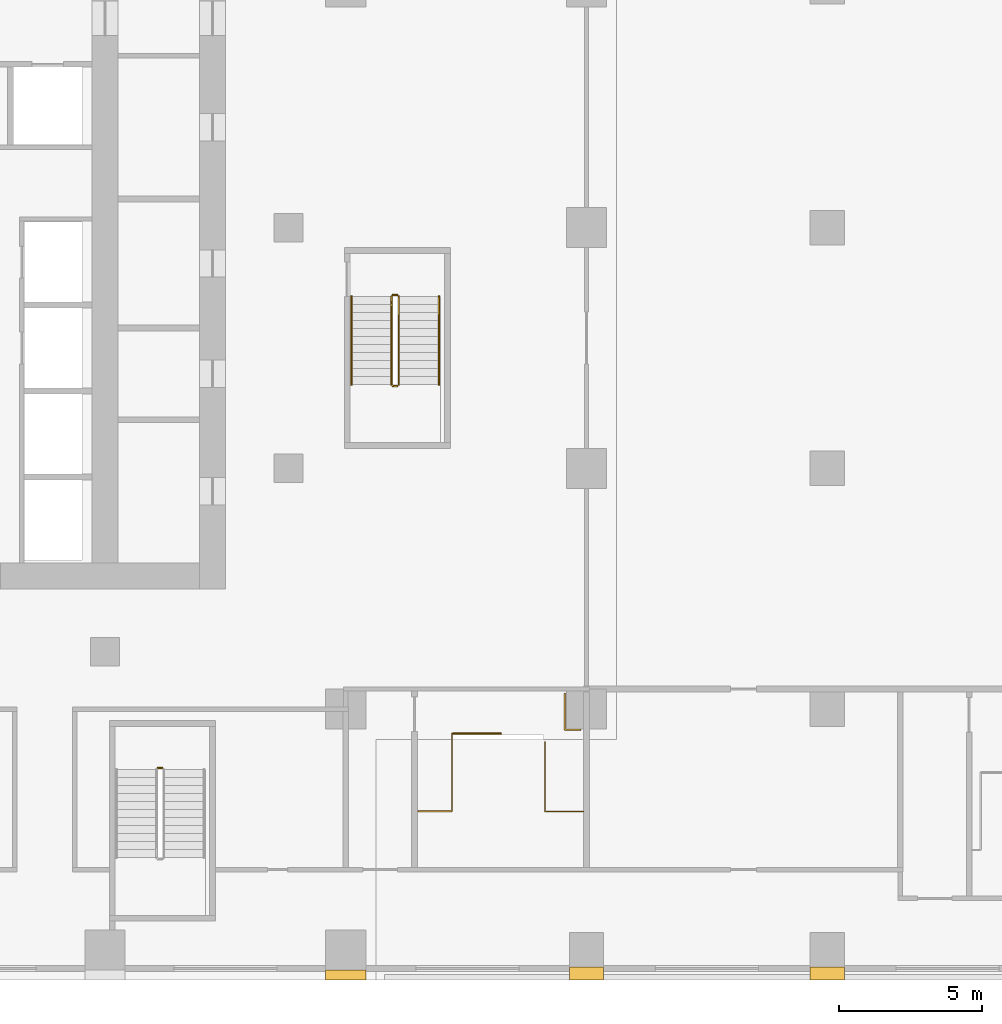
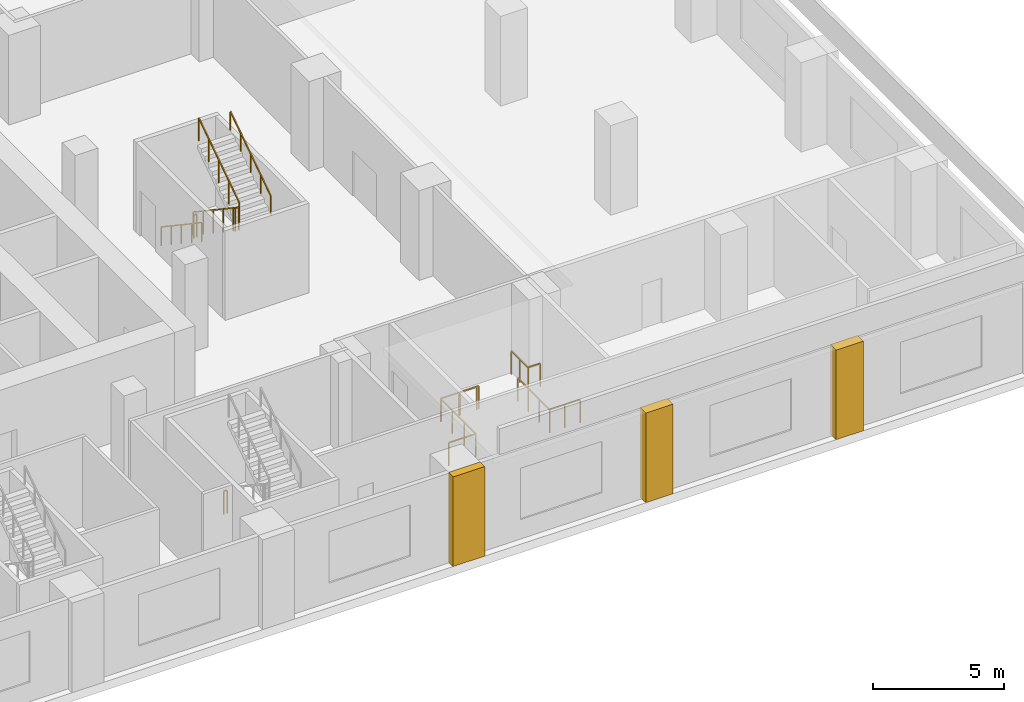
# One storey, part 13 of 16: 10 railings, 3 coverings.
"""IFC4 building model written with IfcOpenShell, lengths in metres."""

import ifcopenshell
import ifcopenshell.guid

model = None  # the IFC model being written
_history = None  # IfcOwnerHistory: only IFC2X3 demands one
_inside = {}  # id of a spatial element -> (the spatial element, [elements in it])
_under = {}  # id of a project, library or spatial element -> (it, [spatial elements below it])
_declared = {}  # id of a project -> (the project, [libraries it declares])
_typed = {}  # id of a type object -> (the type object, [elements of that type])
_made_of = {}  # id of a material, layer set ... -> (it, [elements and type objects made of it])


def new_model(schema):
    """Start an empty IFC model of exactly this schema.

    Asked for "IFC4X3", IfcOpenShell would pick the latest addendum, in which some entities
    have other attributes; the version numbers below select the first issue.
    IFC2X3 requires an IfcOwnerHistory on every rooted entity: one is made here for all.
    """
    global model, _history
    if schema == "IFC4X3":
        model = ifcopenshell.file(schema_version=(4, 3, 0, 0))
    else:
        model = ifcopenshell.file(schema=schema)
    _inside.clear()
    _under.clear()
    _declared.clear()
    _typed.clear()
    _made_of.clear()
    _history = None
    if model.schema == "IFC2X3":
        org = make("IfcOrganization", Name="unknown")
        user = make(
            "IfcPersonAndOrganization",
            ThePerson=make("IfcPerson", FamilyName="unknown"),
            TheOrganization=org,
        )
        app = make(
            "IfcApplication",
            ApplicationDeveloper=org,
            Version="unknown",
            ApplicationFullName="unknown",
            ApplicationIdentifier="unknown",
        )
        _history = make(
            "IfcOwnerHistory",
            OwningUser=user,
            OwningApplication=app,
            ChangeAction="ADDED",
            CreationDate=0,
        )
    return model


def make(cls, **values):
    """One entity of the class cls with the attributes given. An attribute that is None is left unset."""
    return model.create_entity(
        cls, **{name: value for name, value in values.items() if value is not None}
    )


def rooted(cls, **values):
    """An entity with a GlobalId (a new one), such as an element, a storey or a relation."""
    return make(cls, GlobalId=ifcopenshell.guid.new(), OwnerHistory=_history, **values)


def si_unit(unit_type, name, prefix=None):
    """IfcSIUnit, for example si_unit("LENGTHUNIT", "METRE", prefix="MILLI")."""
    return make("IfcSIUnit", UnitType=unit_type, Prefix=prefix, Name=name)


def assignment(units):
    """IfcUnitAssignment: the units of a project."""
    return None if units is None else make("IfcUnitAssignment", Units=units)


def point(xyz):
    """IfcCartesianPoint."""
    return None if xyz is None else make("IfcCartesianPoint", Coordinates=xyz)


def direction(xyz):
    """IfcDirection."""
    return None if xyz is None else make("IfcDirection", DirectionRatios=xyz)


def frame(location, z_axis=None, x_axis=None):
    """IfcAxis2Placement3D, a coordinate frame: its origin and axes. An axis left out is left unset."""
    return make(
        "IfcAxis2Placement3D",
        Location=point(location),
        Axis=direction(z_axis),
        RefDirection=direction(x_axis),
    )


def frame_2d(location, x_axis=None):
    """IfcAxis2Placement2D, a coordinate frame in the plane: its origin and x axis."""
    return make(
        "IfcAxis2Placement2D", Location=point(location), RefDirection=direction(x_axis)
    )


def origin():
    """The frame at (0, 0, 0) with its axes left unset."""
    return frame((0.0, 0.0, 0.0))


def origin_2d():
    """The frame at (0, 0) in the plane with its x axis left unset."""
    return frame_2d((0.0, 0.0))


def place(relative_to, where):
    """IfcLocalPlacement: puts the frame where relative to a parent placement (None: the world)."""
    return make(
        "IfcLocalPlacement", PlacementRelTo=relative_to, RelativePlacement=where
    )


def context(
    kind, dimensions, precision=None, world=None, true_north=None, identifier=None
):
    """IfcGeometricRepresentationContext, for example the 3D "Model" context."""
    return make(
        "IfcGeometricRepresentationContext",
        ContextIdentifier=identifier,
        ContextType=kind,
        CoordinateSpaceDimension=dimensions,
        Precision=precision,
        WorldCoordinateSystem=world,
        TrueNorth=true_north,
    )


def subcontext(parent, identifier, kind, view, scale=None):
    """IfcGeometricRepresentationSubContext, for example "Body" below "Model"."""
    return make(
        "IfcGeometricRepresentationSubContext",
        ContextIdentifier=identifier,
        ContextType=kind,
        ParentContext=parent,
        TargetScale=scale,
        TargetView=view,
    )


def project(units=None, contexts=None):
    """IfcProject with its units and contexts."""
    return rooted(
        "IfcProject",
        Name="project",
        RepresentationContexts=contexts,
        UnitsInContext=assignment(units),
    )


def spatial(cls, under=None, at=None, **own):
    """A site, building, storey or space (cls), placed at a placement, below another one or the project."""
    s = rooted(cls, ObjectPlacement=at, **own)
    if under is not None:
        _under.setdefault(under.id(), (under, []))[1].append(s)
    return s


def polyline(points):
    """IfcPolyline through the points."""
    return make("IfcPolyline", Points=[point(p) for p in points])


def profile(cls, at=None, kind="AREA", **sizes):
    """A parametric profile (cls). Its sizes go by their IFC names, for example OverallWidth=200.0."""
    return make(cls, ProfileType=kind, Position=at, **sizes)


def rectangle(**sizes):
    """IfcRectangleProfileDef."""
    return profile("IfcRectangleProfileDef", **sizes)


def outline(outer, holes=None, kind="AREA"):
    """IfcArbitraryClosedProfileDef: a profile drawn as a closed curve; with holes, ...WithVoids."""
    if holes is None:
        return make("IfcArbitraryClosedProfileDef", ProfileType=kind, OuterCurve=outer)
    return make(
        "IfcArbitraryProfileDefWithVoids",
        ProfileType=kind,
        OuterCurve=outer,
        InnerCurves=holes,
    )


def extrude(swept, where, along, depth):
    """IfcExtrudedAreaSolid: the profile swept, set in the frame where, extruded along a direction by depth."""
    return make(
        "IfcExtrudedAreaSolid",
        SweptArea=swept,
        Position=where,
        ExtrudedDirection=direction(along),
        Depth=depth,
    )


def shape(context_of_items, identifier, shape_type, items):
    """IfcShapeRepresentation: the items that make up one representation, for example the "Body"."""
    return make(
        "IfcShapeRepresentation",
        ContextOfItems=context_of_items,
        RepresentationIdentifier=identifier,
        RepresentationType=shape_type,
        Items=items,
    )


def material(Name=None, Category=None):
    """IfcMaterial."""
    return make("IfcMaterial", Name=Name, Category=Category)


def made_of(thing, what):
    """Note that an element or type object is made of a material, layer set ...; save() writes the relation."""
    if what is not None:
        _made_of.setdefault(what.id(), (what, []))[1].append(thing)
    return thing


def type_object(cls, material=None, **own):
    """A type object (cls), such as IfcWallType, which elements share."""
    return made_of(rooted(cls, **own), material)


def element(
    cls,
    number,
    at=None,
    inside=None,
    cuts=None,
    type_object=None,
    material=None,
    context=None,
    identifier="Body",
    shape_type=None,
    held_by="IfcProductDefinitionShape",
    body=None,
    shapes=None,
    **own,
):
    """One element of the class cls, such as IfcWall. Its Tag is "e" and its number.

    at: its placement. inside: the storey or other place that contains it. cuts: it is an
    opening in that element (IfcRelVoidsElement). A single representation is given by context,
    identifier, shape_type and body (its items); several are given by shapes. held_by: the class
    of the entity that holds the representations. save() writes the other relations.
    """
    e = rooted(cls, Tag="e%d" % number, ObjectPlacement=at, **own)
    if body is not None:
        shapes = [shape(context, identifier, shape_type, body)]
    if shapes is not None:
        e.Representation = make(held_by, Representations=shapes)
    if inside is not None:
        _inside.setdefault(inside.id(), (inside, []))[1].append(e)
    if cuts is not None:
        rooted(
            "IfcRelVoidsElement", RelatingBuildingElement=cuts, RelatedOpeningElement=e
        )
    if type_object is not None:
        _typed.setdefault(type_object.id(), (type_object, []))[1].append(e)
    return made_of(e, material)


def aggregate(whole, parts):
    """IfcRelAggregates: a whole, such as a stair, and the parts it consists of."""
    return rooted("IfcRelAggregates", RelatingObject=whole, RelatedObjects=parts)


def save(model, path):
    """Write the relations noted so far, then the file.

    IfcRelAggregates (storeys below a building ...), IfcRelContainedInSpatialStructure (elements
    in a storey), IfcRelDefinesByType, IfcRelAssociatesMaterial and IfcRelDeclares: one each for
    every whole, place, type object, material and project.
    """
    for whole, parts in _under.values():
        aggregate(whole, parts)
    for where, things in _inside.values():
        rooted(
            "IfcRelContainedInSpatialStructure",
            RelatedElements=things,
            RelatingStructure=where,
        )
    for kind, things in _typed.values():
        rooted("IfcRelDefinesByType", RelatedObjects=things, RelatingType=kind)
    for what, things in _made_of.values():
        rooted("IfcRelAssociatesMaterial", RelatedObjects=things, RelatingMaterial=what)
    for by, libraries in _declared.values():
        rooted("IfcRelDeclares", RelatingContext=by, RelatedDefinitions=libraries)
    model.write(path)


model = new_model("IFC4")

# Units and contexts
model_context = context("Model", 3, precision=1e-05, world=origin(), true_north=direction((0.0, 1.0)))
body_context = subcontext(model_context, "Body", "Model", "MODEL_VIEW")
ifc_project = project(units=[si_unit("LENGTHUNIT", "METRE"), si_unit("AREAUNIT", "SQUARE_METRE"), si_unit("VOLUMEUNIT", "CUBIC_METRE"), si_unit("PLANEANGLEUNIT", "RADIAN"), si_unit("MASSUNIT", "GRAM", prefix="KILO")], contexts=[model_context])

# Site, building, storey
site_placement = place(None, origin())
site = spatial("IfcSite", under=ifc_project, at=site_placement, CompositionType="ELEMENT")
building_placement = place(site_placement, origin())
building = spatial("IfcBuilding", under=site, at=building_placement, Name="Vermilion Ogive Tower", CompositionType="ELEMENT")
storey_placement = place(building_placement, frame((0.0, 0.0, 30.0)))
storey = spatial("IfcBuildingStorey", under=building, at=storey_placement, Name="L05", CompositionType="ELEMENT", Elevation=30.0)

# Railings
ifc_material_1 = material(Name="Steel S355 painted", Category="steel")
railing_type_1 = type_object("IfcRailingType", Name="Stair guard 1100", PredefinedType="GUARDRAIL", material=ifc_material_1)
railing_1_placement = place(storey_placement, frame((10.25, -14.64990234375, 0.0)))
element("IfcRailing", 1, at=railing_1_placement, inside=storey, type_object=railing_type_1, Name="L05 ST5 stair guard 4", PredefinedType="GUARDRAIL", context=body_context, shape_type="SweptSolid", body=[
    extrude(rectangle(XDim=0.048095703125, YDim=0.048095703125, at=origin_2d()), frame((0.0, 0.0, 1.076171875), z_axis=(1.0, 0.0, 0.0), x_axis=(0.0, 1.0, 0.0)), (0.0, 0.0, 1.0), 0.14990234375),
    extrude(rectangle(XDim=0.0419921875, YDim=0.0419921875, at=origin_2d()), origin(), (0.0, 0.0, 1.0), 1.052001953125),
    extrude(rectangle(XDim=0.0419921875, YDim=0.0419921875, at=origin_2d()), frame((0.14990234375, 0.0, 0.0)), (0.0, 0.0, 1.0), 1.052001953125),
])
railing_2_placement = place(storey_placement, frame((18.39990234375, 1.800048828125, 0.1875)))
element("IfcRailing", 2, at=railing_2_placement, inside=storey, type_object=railing_type_1, Name="L05 ST8 stair guard 1", PredefinedType="GUARDRAIL", context=body_context, shape_type="SweptSolid", body=[
    extrude(rectangle(XDim=0.048095703125, YDim=0.048095703125, at=origin_2d()), frame((0.0, 0.0, 1.076171875), z_axis=(0.0, -0.830913701846, 0.55640131208), x_axis=(1.0, 0.0, 0.0)), (0.0, 0.0, 1.0), 3.706787109375),
    extrude(rectangle(XDim=0.048095703125, YDim=0.048095703125, at=origin_2d()), frame((0.0, -3.080078125, 3.138671875), z_axis=(0.707106781187, -0.707106781187, 0.0), x_axis=(0.707106781187, 0.707106781187, 0.0)), (0.0, 0.0, 1.0), 0.07080078125),
    extrude(rectangle(XDim=0.048095703125, YDim=0.048095703125, at=origin_2d()), frame((0.050048828125, -3.130126953125, 3.138671875), z_axis=(1.0, 0.0, 0.0), x_axis=(0.0, 1.0, 0.0)), (0.0, 0.0, 1.0), 0.150146484375),
    extrude(rectangle(XDim=0.0419921875, YDim=0.0419921875, at=origin_2d()), origin(), (0.0, 0.0, 1.0), 1.052001953125),
    extrude(rectangle(XDim=0.0419921875, YDim=0.0419921875, at=origin_2d()), frame((0.0, -0.77001953125, 0.515625)), (0.0, 0.0, 1.0), 1.052001953125),
    extrude(rectangle(XDim=0.0419921875, YDim=0.0419921875, at=origin_2d()), frame((0.0, -1.5400390625, 1.03125)), (0.0, 0.0, 1.0), 1.052001953125),
    extrude(rectangle(XDim=0.0419921875, YDim=0.0419921875, at=origin_2d()), frame((0.0, -2.31005859375, 1.546875)), (0.0, 0.0, 1.0), 1.052001953125),
    extrude(rectangle(XDim=0.0419921875, YDim=0.0419921875, at=origin_2d()), frame((0.0, -3.080078125, 2.0625)), (0.0, 0.0, 1.0), 1.052001953125),
    extrude(rectangle(XDim=0.0419921875, YDim=0.0419921875, at=origin_2d()), frame((0.050048828125, -3.130126953125, 2.0625)), (0.0, 0.0, 1.0), 1.052001953125),
    extrude(rectangle(XDim=0.0419921875, YDim=0.0419921875, at=origin_2d()), frame((0.2001953125, -3.130126953125, 2.0625)), (0.0, 0.0, 1.0), 1.052001953125),
])
railing_3_placement = place(storey_placement, frame((18.64990234375, -1.280029296875, 2.4375)))
element("IfcRailing", 3, at=railing_3_placement, inside=storey, type_object=railing_type_1, Name="L05 ST8 stair guard 3", PredefinedType="GUARDRAIL", context=body_context, shape_type="SweptSolid", body=[
    extrude(rectangle(XDim=0.048095703125, YDim=0.048095703125, at=origin_2d()), frame((0.0, 0.0, 1.076171875), z_axis=(0.0, 0.830913701846, 0.55640131208), x_axis=(-1.0, 0.0, 0.0)), (0.0, 0.0, 1.0), 3.706787109375),
    extrude(rectangle(XDim=0.0419921875, YDim=0.0419921875, at=origin_2d()), origin(), (0.0, 0.0, 1.0), 1.052001953125),
    extrude(rectangle(XDim=0.0419921875, YDim=0.0419921875, at=origin_2d()), frame((0.0, 0.77001953125, 0.515625)), (0.0, 0.0, 1.0), 1.052001953125),
    extrude(rectangle(XDim=0.0419921875, YDim=0.0419921875, at=origin_2d()), frame((0.0, 1.5400390625, 1.03125)), (0.0, 0.0, 1.0), 1.052001953125),
    extrude(rectangle(XDim=0.0419921875, YDim=0.0419921875, at=origin_2d()), frame((0.0, 2.31005859375, 1.546875)), (0.0, 0.0, 1.0), 1.052001953125),
    extrude(rectangle(XDim=0.0419921875, YDim=0.0419921875, at=origin_2d()), frame((0.0, 3.080078125, 2.0625)), (0.0, 0.0, 1.0), 1.052001953125),
])
railing_4_placement = place(storey_placement, frame((18.449951171875, 1.85009765625, 0.0)))
element("IfcRailing", 4, at=railing_4_placement, inside=storey, type_object=railing_type_1, Name="L05 ST8 stair guard 4", PredefinedType="GUARDRAIL", context=body_context, shape_type="SweptSolid", body=[
    extrude(rectangle(XDim=0.048095703125, YDim=0.048095703125, at=origin_2d()), frame((0.0, 0.0, 1.076171875), z_axis=(1.0, 0.0, 0.0), x_axis=(0.0, 1.0, 0.0)), (0.0, 0.0, 1.0), 0.150146484375),
    extrude(rectangle(XDim=0.0419921875, YDim=0.0419921875, at=origin_2d()), origin(), (0.0, 0.0, 1.0), 1.052001953125),
    extrude(rectangle(XDim=0.0419921875, YDim=0.0419921875, at=origin_2d()), frame((0.150146484375, 0.0, 0.0)), (0.0, 0.0, 1.0), 1.052001953125),
])
railing_5_placement = place(storey_placement, frame((20.550048828125, -13.449951171875, 0.0)))
element("IfcRailing", 5, at=railing_5_placement, inside=storey, type_object=railing_type_1, Name="L05 PS3 top well guard 1", PredefinedType="GUARDRAIL", context=body_context, shape_type="SweptSolid", body=[
    extrude(rectangle(XDim=0.048095703125, YDim=0.048095703125, at=origin_2d()), frame((0.0, 0.0, 1.076171875), z_axis=(1.0, 0.0, 0.0), x_axis=(0.0, 1.0, 0.0)), (0.0, 0.0, 1.0), 1.64990234375),
    extrude(rectangle(XDim=0.0419921875, YDim=0.0419921875, at=origin_2d()), origin(), (0.0, 0.0, 1.0), 1.052001953125),
    extrude(rectangle(XDim=0.0419921875, YDim=0.0419921875, at=origin_2d()), frame((0.824951171875, 0.0, 0.0)), (0.0, 0.0, 1.0), 1.052001953125),
    extrude(rectangle(XDim=0.0419921875, YDim=0.0419921875, at=origin_2d()), frame((1.64990234375, 0.0, 0.0)), (0.0, 0.0, 1.0), 1.052001953125),
])
railing_6_placement = place(storey_placement, frame((19.318115234375, -16.156982421875, 0.0)))
element("IfcRailing", 6, at=railing_6_placement, inside=storey, type_object=railing_type_1, Name="L05 stair opening guard", PredefinedType="GUARDRAIL", context=body_context, shape_type="SweptSolid", body=[
    extrude(rectangle(XDim=0.048095703125, YDim=0.048095703125, at=origin_2d()), frame((0.0, 0.0, 1.076171875), z_axis=(1.0, 0.0, 0.0), x_axis=(0.0, 1.0, 0.0)), (0.0, 0.0, 1.0), 1.190185546875),
    extrude(rectangle(XDim=0.048095703125, YDim=0.048095703125, at=origin_2d()), frame((1.190185546875, 0.0, 1.076171875), z_axis=(0.0, 1.0, 0.0), x_axis=(-1.0, 0.0, 0.0)), (0.0, 0.0, 1.0), 2.7001953125),
    extrude(rectangle(XDim=0.048095703125, YDim=0.048095703125, at=origin_2d()), frame((1.190185546875, 2.7001953125, 1.076171875), z_axis=(1.0, 0.0, 0.0), x_axis=(0.0, 1.0, 0.0)), (0.0, 0.0, 1.0), 1.60009765625),
    extrude(rectangle(XDim=0.0419921875, YDim=0.0419921875, at=origin_2d()), origin(), (0.0, 0.0, 1.0), 1.052001953125),
    extrude(rectangle(XDim=0.0419921875, YDim=0.0419921875, at=origin_2d()), frame((1.190185546875, 0.0, 0.0)), (0.0, 0.0, 1.0), 1.052001953125),
    extrude(rectangle(XDim=0.0419921875, YDim=0.0419921875, at=origin_2d()), frame((1.190185546875, 0.900146484375, 0.0)), (0.0, 0.0, 1.0), 1.052001953125),
    extrude(rectangle(XDim=0.0419921875, YDim=0.0419921875, at=origin_2d()), frame((1.190185546875, 1.800048828125, 0.0)), (0.0, 0.0, 1.0), 1.052001953125),
    extrude(rectangle(XDim=0.0419921875, YDim=0.0419921875, at=origin_2d()), frame((1.190185546875, 2.7001953125, 0.0)), (0.0, 0.0, 1.0), 1.052001953125),
    extrude(rectangle(XDim=0.0419921875, YDim=0.0419921875, at=origin_2d()), frame((1.990234375, 2.7001953125, 0.0)), (0.0, 0.0, 1.0), 1.052001953125),
    extrude(rectangle(XDim=0.0419921875, YDim=0.0419921875, at=origin_2d()), frame((2.790283203125, 2.7001953125, 0.0)), (0.0, 0.0, 1.0), 1.052001953125),
])
railing_7_placement = place(storey_placement, frame((23.75244140625, -13.746826171875, 0.0)))
element("IfcRailing", 7, at=railing_7_placement, inside=storey, type_object=railing_type_1, Name="L05 stair opening guard", PredefinedType="GUARDRAIL", context=body_context, shape_type="SweptSolid", body=[
    extrude(rectangle(XDim=0.048095703125, YDim=0.048095703125, at=origin_2d()), frame((0.0, 0.0, 1.076171875), z_axis=(0.0, -1.0, 0.0), x_axis=(1.0, 0.0, 0.0)), (0.0, 0.0, 1.0), 2.424072265625),
    extrude(rectangle(XDim=0.048095703125, YDim=0.048095703125, at=origin_2d()), frame((0.0, -2.424072265625, 1.076171875), z_axis=(1.0, 0.0, 0.0), x_axis=(0.0, 1.0, 0.0)), (0.0, 0.0, 1.0), 1.340087890625),
    extrude(rectangle(XDim=0.0419921875, YDim=0.0419921875, at=origin_2d()), origin(), (0.0, 0.0, 1.0), 1.052001953125),
    extrude(rectangle(XDim=0.0419921875, YDim=0.0419921875, at=origin_2d()), frame((0.0, -0.80810546875, 0.0)), (0.0, 0.0, 1.0), 1.052001953125),
    extrude(rectangle(XDim=0.0419921875, YDim=0.0419921875, at=origin_2d()), frame((0.0, -1.615966796875, 0.0)), (0.0, 0.0, 1.0), 1.052001953125),
    extrude(rectangle(XDim=0.0419921875, YDim=0.0419921875, at=origin_2d()), frame((0.0, -2.424072265625, 0.0)), (0.0, 0.0, 1.0), 1.052001953125),
    extrude(rectangle(XDim=0.0419921875, YDim=0.0419921875, at=origin_2d()), frame((0.669921875, -2.424072265625, 0.0)), (0.0, 0.0, 1.0), 1.052001953125),
    extrude(rectangle(XDim=0.0419921875, YDim=0.0419921875, at=origin_2d()), frame((1.340087890625, -2.424072265625, 0.0)), (0.0, 0.0, 1.0), 1.052001953125),
])
railing_8_placement = place(storey_placement, frame((24.44482421875, -12.05859375, 0.0)))
element("IfcRailing", 8, at=railing_8_placement, inside=storey, type_object=railing_type_1, Name="L05 stair opening guard", PredefinedType="GUARDRAIL", context=body_context, shape_type="SweptSolid", body=[
    extrude(rectangle(XDim=0.048095703125, YDim=0.048095703125, at=origin_2d()), frame((0.0, 0.0, 1.076171875), z_axis=(0.0, -1.0, 0.0), x_axis=(1.0, 0.0, 0.0)), (0.0, 0.0, 1.0), 1.264892578125),
    extrude(rectangle(XDim=0.048095703125, YDim=0.048095703125, at=origin_2d()), frame((0.0, -1.264892578125, 1.076171875), z_axis=(1.0, 0.0, 0.0), x_axis=(0.0, 1.0, 0.0)), (0.0, 0.0, 1.0), 0.5400390625),
    extrude(rectangle(XDim=0.0419921875, YDim=0.0419921875, at=origin_2d()), origin(), (0.0, 0.0, 1.0), 1.052001953125),
    extrude(rectangle(XDim=0.0419921875, YDim=0.0419921875, at=origin_2d()), frame((0.0, -0.63232421875, 0.0)), (0.0, 0.0, 1.0), 1.052001953125),
    extrude(rectangle(XDim=0.0419921875, YDim=0.0419921875, at=origin_2d()), frame((0.0, -1.264892578125, 0.0)), (0.0, 0.0, 1.0), 1.052001953125),
    extrude(rectangle(XDim=0.0419921875, YDim=0.0419921875, at=origin_2d()), frame((0.5400390625, -1.264892578125, 0.0)), (0.0, 0.0, 1.0), 1.052001953125),
])
ifc_material_2 = material(Name="Stainless steel", Category="steel")
railing_type_2 = type_object("IfcRailingType", Name="Stair handrail 900", PredefinedType="HANDRAIL", material=ifc_material_2)
railing_9_placement = place(storey_placement, frame((17.0, 1.800048828125, 0.1875)))
element("IfcRailing", 9, at=railing_9_placement, inside=storey, type_object=railing_type_2, Name="L05 ST8 stair handrail 1", PredefinedType="HANDRAIL", context=body_context, shape_type="SweptSolid", body=[
    extrude(rectangle(XDim=0.048095703125, YDim=0.048095703125, at=origin_2d()), frame((0.0, 0.0, 0.8759765625), z_axis=(0.0, -0.830913701846, 0.55640131208), x_axis=(1.0, 0.0, 0.0)), (0.0, 0.0, 1.0), 3.706787109375),
    extrude(rectangle(XDim=0.0419921875, YDim=0.0419921875, at=origin_2d()), origin(), (0.0, 0.0, 1.0), 0.851806640625),
    extrude(rectangle(XDim=0.0419921875, YDim=0.0419921875, at=origin_2d()), frame((0.0, -0.77001953125, 0.515625)), (0.0, 0.0, 1.0), 0.851806640625),
    extrude(rectangle(XDim=0.0419921875, YDim=0.0419921875, at=origin_2d()), frame((0.0, -1.5400390625, 1.03125)), (0.0, 0.0, 1.0), 0.851806640625),
    extrude(rectangle(XDim=0.0419921875, YDim=0.0419921875, at=origin_2d()), frame((0.0, -2.31005859375, 1.546875)), (0.0, 0.0, 1.0), 0.851806640625),
    extrude(rectangle(XDim=0.0419921875, YDim=0.0419921875, at=origin_2d()), frame((0.0, -3.080078125, 2.0625)), (0.0, 0.0, 1.0), 0.851806640625),
])
railing_10_placement = place(storey_placement, frame((20.050048828125, -1.280029296875, 2.4375)))
element("IfcRailing", 10, at=railing_10_placement, inside=storey, type_object=railing_type_2, Name="L05 ST8 stair handrail 2", PredefinedType="HANDRAIL", context=body_context, shape_type="SweptSolid", body=[
    extrude(rectangle(XDim=0.048095703125, YDim=0.048095703125, at=origin_2d()), frame((0.0, 0.0, 0.8759765625), z_axis=(0.0, 0.830913701846, 0.55640131208), x_axis=(-1.0, 0.0, 0.0)), (0.0, 0.0, 1.0), 3.706787109375),
    extrude(rectangle(XDim=0.0419921875, YDim=0.0419921875, at=origin_2d()), origin(), (0.0, 0.0, 1.0), 0.851806640625),
    extrude(rectangle(XDim=0.0419921875, YDim=0.0419921875, at=origin_2d()), frame((0.0, 0.77001953125, 0.515625)), (0.0, 0.0, 1.0), 0.851806640625),
    extrude(rectangle(XDim=0.0419921875, YDim=0.0419921875, at=origin_2d()), frame((0.0, 1.5400390625, 1.03125)), (0.0, 0.0, 1.0), 0.851806640625),
    extrude(rectangle(XDim=0.0419921875, YDim=0.0419921875, at=origin_2d()), frame((0.0, 2.31005859375, 1.546875)), (0.0, 0.0, 1.0), 0.851806640625),
    extrude(rectangle(XDim=0.0419921875, YDim=0.0419921875, at=origin_2d()), frame((0.0, 3.080078125, 2.0625)), (0.0, 0.0, 1.0), 0.851806640625),
])

# Coverings
ifc_material_3 = material(Name="Stone cladding", Category="masonry")
covering_type = type_object("IfcCoveringType", Name="Stone pier", PredefinedType="CLADDING", material=ifc_material_3)
covering_1_placement = place(storey_placement, origin())
element("IfcCovering", 11, at=covering_1_placement, inside=storey, type_object=covering_type, Name="Stone pier P+168-210", PredefinedType="CLADDING", context=body_context, shape_type="SweptSolid", body=[
    extrude(outline(polyline([(17.5, -21.699951171875), (17.5, -21.699951171875), (17.5, -22.050048828125), (16.10009765625, -22.050048828125), (16.10009765625, -21.699951171875), (16.10009765625, -21.699951171875), (17.5, -21.699951171875)])), origin(), (0.0, 0.0, 1.0), 4.179931640625),
])
covering_2_placement = place(storey_placement, origin())
element("IfcCovering", 12, at=covering_2_placement, inside=storey, type_object=covering_type, Name="Stone pier P+252-210", PredefinedType="CLADDING", context=body_context, shape_type="SweptSolid", body=[
    extrude(outline(polyline([(25.800048828125, -22.050048828125), (24.60009765625, -22.050048828125), (24.60009765625, -21.60009765625), (25.800048828125, -21.60009765625), (25.800048828125, -22.050048828125)])), origin(), (0.0, 0.0, 1.0), 4.179931640625),
])
covering_3_placement = place(storey_placement, origin())
element("IfcCovering", 13, at=covering_3_placement, inside=storey, type_object=covering_type, Name="Stone pier P+336-210", PredefinedType="CLADDING", context=body_context, shape_type="SweptSolid", body=[
    extrude(outline(polyline([(34.199951171875, -22.050048828125), (33.0, -22.050048828125), (33.0, -21.60009765625), (34.199951171875, -21.60009765625), (34.199951171875, -22.050048828125)])), origin(), (0.0, 0.0, 1.0), 4.179931640625),
])

save(model, "model.ifc")
